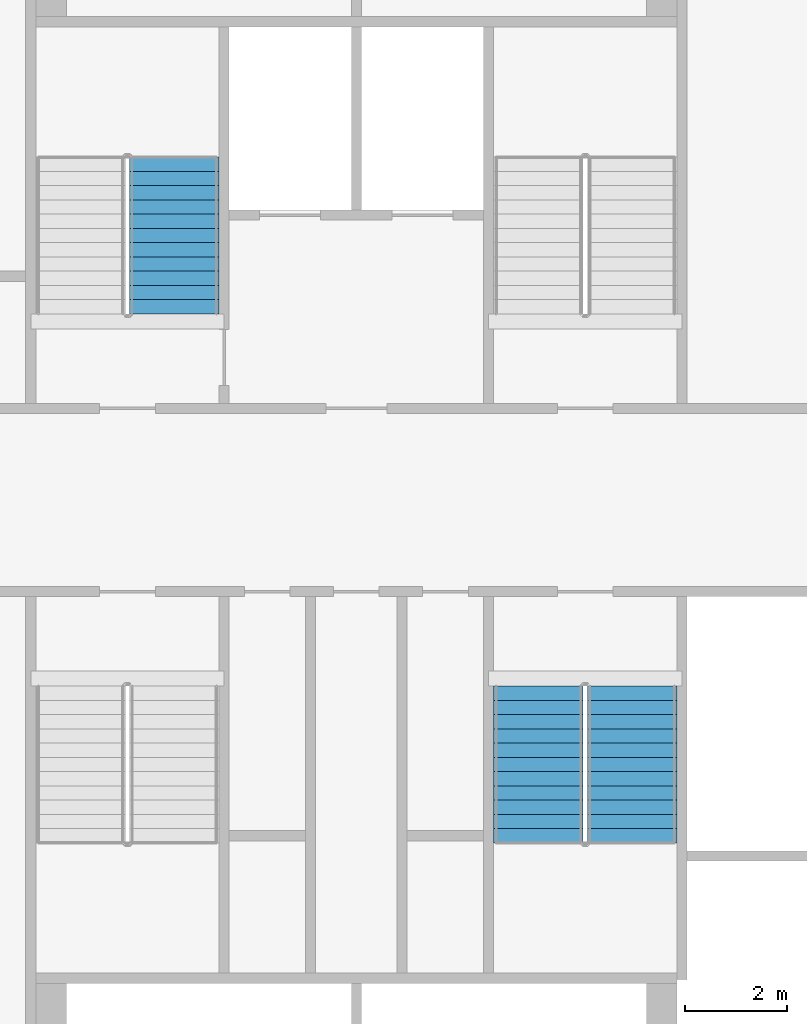
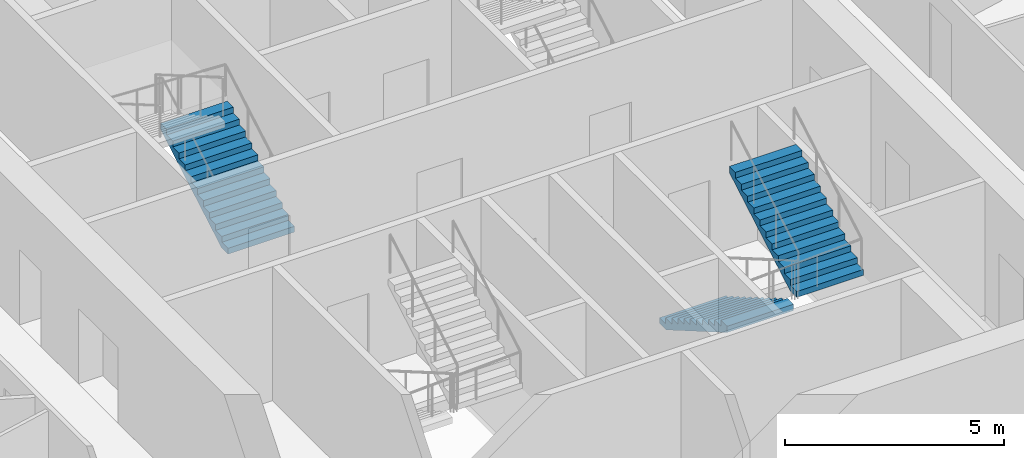
# One storey, part 8 of 14: 3 stair flights, 2 elements without a shape of their own.
"""IFC4 building model written with IfcOpenShell, lengths in metres."""

from ifc_helpers import new_model, si_unit, direction, frame, origin, place, context, subcontext, project, spatial, faceted_brep, material, type_object, element, aggregate, save


model = new_model("IFC4")

# Units and contexts
model_context = context("Model", 3, precision=1e-05, world=origin(), true_north=direction((0.0, 1.0)))
body_context = subcontext(model_context, "Body", "Model", "MODEL_VIEW")
ifc_project = project(units=[si_unit("LENGTHUNIT", "METRE"), si_unit("AREAUNIT", "SQUARE_METRE"), si_unit("VOLUMEUNIT", "CUBIC_METRE"), si_unit("PLANEANGLEUNIT", "RADIAN"), si_unit("MASSUNIT", "GRAM", prefix="KILO")], contexts=[model_context])

# Site, building, storey
site_placement = place(None, origin())
site = spatial("IfcSite", under=ifc_project, at=site_placement, CompositionType="ELEMENT")
building_placement = place(site_placement, origin())
building = spatial("IfcBuilding", under=site, at=building_placement, Name="Tarsis Ring Headquarters", CompositionType="ELEMENT")
storey_placement = place(building_placement, frame((0.0, 0.0, 182.699951171875)))
storey = spatial("IfcBuildingStorey", under=building, at=storey_placement, Name="L42", CompositionType="ELEMENT", Elevation=182.699951171875)

# Stair, stair flight
ifc_material_1 = material(Name="Core stair 1760")
stair_type = type_object("IfcStairType", Name="Core stair 1760", PredefinedType="HALF_TURN_STAIR", material=ifc_material_1)
stair_1_placement = place(storey_placement, origin())
stair_1 = element("IfcStair", 1, at=stair_1_placement, inside=storey, type_object=stair_type, Name="L42 Firefighting stair", PredefinedType="HALF_TURN_STAIR")
ifc_material_2 = material(Name="Concrete C40/50", Category="concrete")
stair_flight_type = type_object("IfcStairFlightType", Name="Core stair flight 1760", PredefinedType="STRAIGHT", material=ifc_material_2)
stair_flight_1_placement = place(storey_placement, frame((-3.580078125, 3.659912109375, 0.0), z_axis=(0.0, 0.0, 1.0), x_axis=(0.0, 1.0, 0.0)))
stair_flight_1 = element("IfcStairFlight", 2, at=stair_flight_1_placement, type_object=stair_flight_type, Name="Stair ST1 flight 1", NumberOfRisers=12, NumberOfTreads=11, PredefinedType="STRAIGHT", RiserHeight=0.1625, TreadLength=0.28, context=body_context, shape_type="Brep", body=[
    faceted_brep([(0.0, 0.8798828125, 0.0), (0.0, 0.8798828125, 0.16259765625), (0.280029296875, 0.8798828125, 0.16259765625), (0.280029296875, 0.8798828125, 0.324951171875), (0.56005859375, 0.8798828125, 0.324951171875), (0.56005859375, 0.8798828125, 0.487548828125), (0.840087890625, 0.8798828125, 0.487548828125), (0.840087890625, 0.8798828125, 0.64990234375), (1.1201171875, 0.8798828125, 0.64990234375), (1.1201171875, 0.8798828125, 0.8125), (1.39990234375, 0.8798828125, 0.8125), (1.39990234375, 0.8798828125, 0.97509765625), (1.679931640625, 0.8798828125, 0.97509765625), (1.679931640625, 0.8798828125, 1.137451171875), (1.9599609375, 0.8798828125, 1.137451171875), (1.9599609375, 0.8798828125, 1.300048828125), (2.239990234375, 0.8798828125, 1.300048828125), (2.239990234375, 0.8798828125, 1.46240234375), (2.52001953125, 0.8798828125, 1.46240234375), (2.52001953125, 0.8798828125, 1.625), (2.800048828125, 0.8798828125, 1.625), (2.800048828125, 0.8798828125, 1.78759765625), (3.080078125, 0.8798828125, 1.78759765625), (3.080078125, 0.8798828125, 1.6142578125), (0.298583984375, 0.8798828125, 0.0), (0.298583984375, -0.8798828125, 0.0), (3.080078125, -0.8798828125, 1.6142578125), (3.080078125, -0.8798828125, 1.78759765625), (2.800048828125, -0.8798828125, 1.78759765625), (2.800048828125, -0.8798828125, 1.625), (2.52001953125, -0.8798828125, 1.625), (2.52001953125, -0.8798828125, 1.46240234375), (2.239990234375, -0.8798828125, 1.46240234375), (2.239990234375, -0.8798828125, 1.300048828125), (1.9599609375, -0.8798828125, 1.300048828125), (1.9599609375, -0.8798828125, 1.137451171875), (1.679931640625, -0.8798828125, 1.137451171875), (1.679931640625, -0.8798828125, 0.97509765625), (1.39990234375, -0.8798828125, 0.97509765625), (1.39990234375, -0.8798828125, 0.8125), (1.1201171875, -0.8798828125, 0.8125), (1.1201171875, -0.8798828125, 0.64990234375), (0.840087890625, -0.8798828125, 0.64990234375), (0.840087890625, -0.8798828125, 0.487548828125), (0.56005859375, -0.8798828125, 0.487548828125), (0.56005859375, -0.8798828125, 0.324951171875), (0.280029296875, -0.8798828125, 0.324951171875), (0.280029296875, -0.8798828125, 0.16259765625), (0.0, -0.8798828125, 0.16259765625), (0.0, -0.8798828125, 0.0), (0.0, -0.43994140625, 0.16259765625), (0.0, -0.43994140625, 0.0), (0.0, 0.0, 0.16259765625), (0.0, 0.0, 0.0), (0.0, 0.43994140625, 0.16259765625), (0.0, 0.43994140625, 0.0), (0.280029296875, -0.43994140625, 0.16259765625), (0.280029296875, 0.0, 0.16259765625), (0.280029296875, 0.43994140625, 0.16259765625), (0.280029296875, -0.43994140625, 0.324951171875), (0.280029296875, 0.0, 0.324951171875), (0.280029296875, 0.43994140625, 0.324951171875), (0.56005859375, -0.43994140625, 0.324951171875), (0.56005859375, 0.0, 0.324951171875), (0.56005859375, 0.43994140625, 0.324951171875), (0.56005859375, -0.43994140625, 0.487548828125), (0.56005859375, 0.0, 0.487548828125), (0.56005859375, 0.43994140625, 0.487548828125), (0.840087890625, -0.43994140625, 0.487548828125), (0.840087890625, 0.0, 0.487548828125), (0.840087890625, 0.43994140625, 0.487548828125), (0.840087890625, -0.43994140625, 0.64990234375), (0.840087890625, 0.0, 0.64990234375), (0.840087890625, 0.43994140625, 0.64990234375), (1.1201171875, -0.43994140625, 0.64990234375), (1.1201171875, 0.0, 0.64990234375), (1.1201171875, 0.43994140625, 0.64990234375), (1.1201171875, -0.43994140625, 0.8125), (1.1201171875, 0.0, 0.8125), (1.1201171875, 0.43994140625, 0.8125), (1.39990234375, -0.43994140625, 0.8125), (1.39990234375, 0.0, 0.8125), (1.39990234375, 0.43994140625, 0.8125), (1.39990234375, -0.43994140625, 0.97509765625), (1.39990234375, 0.0, 0.97509765625), (1.39990234375, 0.43994140625, 0.97509765625), (1.679931640625, -0.43994140625, 0.97509765625), (1.679931640625, 0.0, 0.97509765625), (1.679931640625, 0.43994140625, 0.97509765625), (1.679931640625, -0.43994140625, 1.137451171875), (1.679931640625, 0.0, 1.137451171875), (1.679931640625, 0.43994140625, 1.137451171875), (1.9599609375, -0.43994140625, 1.137451171875), (1.9599609375, 0.0, 1.137451171875), (1.9599609375, 0.43994140625, 1.137451171875), (1.9599609375, -0.43994140625, 1.300048828125), (1.9599609375, 0.0, 1.300048828125), (1.9599609375, 0.43994140625, 1.300048828125), (2.239990234375, -0.43994140625, 1.300048828125), (2.239990234375, 0.0, 1.300048828125), (2.239990234375, 0.43994140625, 1.300048828125), (2.239990234375, -0.43994140625, 1.46240234375), (2.239990234375, 0.0, 1.46240234375), (2.239990234375, 0.43994140625, 1.46240234375), (2.52001953125, -0.43994140625, 1.46240234375), (2.52001953125, 0.0, 1.46240234375), (2.52001953125, 0.43994140625, 1.46240234375), (2.52001953125, -0.43994140625, 1.625), (2.52001953125, 0.0, 1.625), (2.52001953125, 0.43994140625, 1.625), (2.800048828125, -0.43994140625, 1.625), (2.800048828125, 0.0, 1.625), (2.800048828125, 0.43994140625, 1.625), (2.800048828125, -0.43994140625, 1.78759765625), (2.800048828125, 0.0, 1.78759765625), (2.800048828125, 0.43994140625, 1.78759765625), (3.080078125, -0.43994140625, 1.78759765625), (3.080078125, 0.0, 1.78759765625), (3.080078125, 0.43994140625, 1.78759765625), (3.080078125, -0.43994140625, 1.6142578125), (3.080078125, 0.0, 1.6142578125), (3.080078125, 0.43994140625, 1.6142578125), (0.298583984375, -0.43994140625, 0.0), (0.298583984375, 0.0, 0.0), (0.298583984375, 0.43994140625, 0.0)], [[[0, 1, 2, 3, 4, 5, 6, 7, 8, 9, 10, 11, 12, 13, 14, 15, 16, 17, 18, 19, 20, 21, 22, 23, 24]], [[25, 26, 27, 28, 29, 30, 31, 32, 33, 34, 35, 36, 37, 38, 39, 40, 41, 42, 43, 44, 45, 46, 47, 48, 49]], [[49, 48, 50, 51]], [[51, 50, 52, 53]], [[53, 52, 54, 55]], [[55, 54, 1, 0]], [[48, 47, 56, 50]], [[50, 56, 57, 52]], [[52, 57, 58, 54]], [[54, 58, 2, 1]], [[47, 46, 59, 56]], [[56, 59, 60, 57]], [[57, 60, 61, 58]], [[58, 61, 3, 2]], [[46, 45, 62, 59]], [[59, 62, 63, 60]], [[60, 63, 64, 61]], [[61, 64, 4, 3]], [[45, 44, 65, 62]], [[62, 65, 66, 63]], [[63, 66, 67, 64]], [[64, 67, 5, 4]], [[44, 43, 68, 65]], [[65, 68, 69, 66]], [[66, 69, 70, 67]], [[67, 70, 6, 5]], [[43, 42, 71, 68]], [[68, 71, 72, 69]], [[69, 72, 73, 70]], [[70, 73, 7, 6]], [[42, 41, 74, 71]], [[71, 74, 75, 72]], [[72, 75, 76, 73]], [[73, 76, 8, 7]], [[41, 40, 77, 74]], [[74, 77, 78, 75]], [[75, 78, 79, 76]], [[76, 79, 9, 8]], [[40, 39, 80, 77]], [[77, 80, 81, 78]], [[78, 81, 82, 79]], [[79, 82, 10, 9]], [[39, 38, 83, 80]], [[80, 83, 84, 81]], [[81, 84, 85, 82]], [[82, 85, 11, 10]], [[38, 37, 86, 83]], [[83, 86, 87, 84]], [[84, 87, 88, 85]], [[85, 88, 12, 11]], [[37, 36, 89, 86]], [[86, 89, 90, 87]], [[87, 90, 91, 88]], [[88, 91, 13, 12]], [[36, 35, 92, 89]], [[89, 92, 93, 90]], [[90, 93, 94, 91]], [[91, 94, 14, 13]], [[35, 34, 95, 92]], [[92, 95, 96, 93]], [[93, 96, 97, 94]], [[94, 97, 15, 14]], [[34, 33, 98, 95]], [[95, 98, 99, 96]], [[96, 99, 100, 97]], [[97, 100, 16, 15]], [[33, 32, 101, 98]], [[98, 101, 102, 99]], [[99, 102, 103, 100]], [[100, 103, 17, 16]], [[32, 31, 104, 101]], [[101, 104, 105, 102]], [[102, 105, 106, 103]], [[103, 106, 18, 17]], [[31, 30, 107, 104]], [[104, 107, 108, 105]], [[105, 108, 109, 106]], [[106, 109, 19, 18]], [[30, 29, 110, 107]], [[107, 110, 111, 108]], [[108, 111, 112, 109]], [[109, 112, 20, 19]], [[29, 28, 113, 110]], [[110, 113, 114, 111]], [[111, 114, 115, 112]], [[112, 115, 21, 20]], [[28, 27, 116, 113]], [[113, 116, 117, 114]], [[114, 117, 118, 115]], [[115, 118, 22, 21]], [[27, 26, 119, 116]], [[116, 119, 120, 117]], [[117, 120, 121, 118]], [[118, 121, 23, 22]], [[26, 25, 122, 119]], [[119, 122, 123, 120]], [[120, 123, 124, 121]], [[121, 124, 24, 23]], [[25, 49, 51, 122]], [[122, 51, 53, 123]], [[123, 53, 55, 124]], [[124, 55, 0, 24]]]),
])
aggregate(stair_1, [stair_flight_1])

# Stair, stair flights
stair_2_placement = place(storey_placement, origin())
stair_2 = element("IfcStair", 3, at=stair_2_placement, inside=storey, type_object=stair_type, Name="L42 Exit stair D", PredefinedType="HALF_TURN_STAIR")
stair_flight_2_placement = place(storey_placement, frame((3.580078125, -3.659912109375, 0.0), z_axis=(0.0, 0.0, 1.0), x_axis=(0.0, -1.0, 0.0)))
stair_flight_2 = element("IfcStairFlight", 4, at=stair_flight_2_placement, type_object=stair_flight_type, Name="Stair ST4 flight 1", NumberOfRisers=12, NumberOfTreads=11, PredefinedType="STRAIGHT", RiserHeight=0.1625, TreadLength=0.28, context=body_context, shape_type="Brep", body=[
    faceted_brep([(0.0, 0.8798828125, 0.0), (0.0, 0.8798828125, 0.16259765625), (0.280029296875, 0.8798828125, 0.16259765625), (0.280029296875, 0.8798828125, 0.324951171875), (0.56005859375, 0.8798828125, 0.324951171875), (0.56005859375, 0.8798828125, 0.487548828125), (0.840087890625, 0.8798828125, 0.487548828125), (0.840087890625, 0.8798828125, 0.64990234375), (1.1201171875, 0.8798828125, 0.64990234375), (1.1201171875, 0.8798828125, 0.8125), (1.39990234375, 0.8798828125, 0.8125), (1.39990234375, 0.8798828125, 0.97509765625), (1.679931640625, 0.8798828125, 0.97509765625), (1.679931640625, 0.8798828125, 1.137451171875), (1.9599609375, 0.8798828125, 1.137451171875), (1.9599609375, 0.8798828125, 1.300048828125), (2.239990234375, 0.8798828125, 1.300048828125), (2.239990234375, 0.8798828125, 1.46240234375), (2.52001953125, 0.8798828125, 1.46240234375), (2.52001953125, 0.8798828125, 1.625), (2.800048828125, 0.8798828125, 1.625), (2.800048828125, 0.8798828125, 1.78759765625), (3.080078125, 0.8798828125, 1.78759765625), (3.080078125, 0.8798828125, 1.6142578125), (0.298583984375, 0.8798828125, 0.0), (0.298583984375, -0.8798828125, 0.0), (3.080078125, -0.8798828125, 1.6142578125), (3.080078125, -0.8798828125, 1.78759765625), (2.800048828125, -0.8798828125, 1.78759765625), (2.800048828125, -0.8798828125, 1.625), (2.52001953125, -0.8798828125, 1.625), (2.52001953125, -0.8798828125, 1.46240234375), (2.239990234375, -0.8798828125, 1.46240234375), (2.239990234375, -0.8798828125, 1.300048828125), (1.9599609375, -0.8798828125, 1.300048828125), (1.9599609375, -0.8798828125, 1.137451171875), (1.679931640625, -0.8798828125, 1.137451171875), (1.679931640625, -0.8798828125, 0.97509765625), (1.39990234375, -0.8798828125, 0.97509765625), (1.39990234375, -0.8798828125, 0.8125), (1.1201171875, -0.8798828125, 0.8125), (1.1201171875, -0.8798828125, 0.64990234375), (0.840087890625, -0.8798828125, 0.64990234375), (0.840087890625, -0.8798828125, 0.487548828125), (0.56005859375, -0.8798828125, 0.487548828125), (0.56005859375, -0.8798828125, 0.324951171875), (0.280029296875, -0.8798828125, 0.324951171875), (0.280029296875, -0.8798828125, 0.16259765625), (0.0, -0.8798828125, 0.16259765625), (0.0, -0.8798828125, 0.0), (0.0, -0.43994140625, 0.16259765625), (0.0, -0.43994140625, 0.0), (0.0, 0.0, 0.16259765625), (0.0, 0.0, 0.0), (0.0, 0.43994140625, 0.16259765625), (0.0, 0.43994140625, 0.0), (0.280029296875, -0.43994140625, 0.16259765625), (0.280029296875, 0.0, 0.16259765625), (0.280029296875, 0.43994140625, 0.16259765625), (0.280029296875, -0.43994140625, 0.324951171875), (0.280029296875, 0.0, 0.324951171875), (0.280029296875, 0.43994140625, 0.324951171875), (0.56005859375, -0.43994140625, 0.324951171875), (0.56005859375, 0.0, 0.324951171875), (0.56005859375, 0.43994140625, 0.324951171875), (0.56005859375, -0.43994140625, 0.487548828125), (0.56005859375, 0.0, 0.487548828125), (0.56005859375, 0.43994140625, 0.487548828125), (0.840087890625, -0.43994140625, 0.487548828125), (0.840087890625, 0.0, 0.487548828125), (0.840087890625, 0.43994140625, 0.487548828125), (0.840087890625, -0.43994140625, 0.64990234375), (0.840087890625, 0.0, 0.64990234375), (0.840087890625, 0.43994140625, 0.64990234375), (1.1201171875, -0.43994140625, 0.64990234375), (1.1201171875, 0.0, 0.64990234375), (1.1201171875, 0.43994140625, 0.64990234375), (1.1201171875, -0.43994140625, 0.8125), (1.1201171875, 0.0, 0.8125), (1.1201171875, 0.43994140625, 0.8125), (1.39990234375, -0.43994140625, 0.8125), (1.39990234375, 0.0, 0.8125), (1.39990234375, 0.43994140625, 0.8125), (1.39990234375, -0.43994140625, 0.97509765625), (1.39990234375, 0.0, 0.97509765625), (1.39990234375, 0.43994140625, 0.97509765625), (1.679931640625, -0.43994140625, 0.97509765625), (1.679931640625, 0.0, 0.97509765625), (1.679931640625, 0.43994140625, 0.97509765625), (1.679931640625, -0.43994140625, 1.137451171875), (1.679931640625, 0.0, 1.137451171875), (1.679931640625, 0.43994140625, 1.137451171875), (1.9599609375, -0.43994140625, 1.137451171875), (1.9599609375, 0.0, 1.137451171875), (1.9599609375, 0.43994140625, 1.137451171875), (1.9599609375, -0.43994140625, 1.300048828125), (1.9599609375, 0.0, 1.300048828125), (1.9599609375, 0.43994140625, 1.300048828125), (2.239990234375, -0.43994140625, 1.300048828125), (2.239990234375, 0.0, 1.300048828125), (2.239990234375, 0.43994140625, 1.300048828125), (2.239990234375, -0.43994140625, 1.46240234375), (2.239990234375, 0.0, 1.46240234375), (2.239990234375, 0.43994140625, 1.46240234375), (2.52001953125, -0.43994140625, 1.46240234375), (2.52001953125, 0.0, 1.46240234375), (2.52001953125, 0.43994140625, 1.46240234375), (2.52001953125, -0.43994140625, 1.625), (2.52001953125, 0.0, 1.625), (2.52001953125, 0.43994140625, 1.625), (2.800048828125, -0.43994140625, 1.625), (2.800048828125, 0.0, 1.625), (2.800048828125, 0.43994140625, 1.625), (2.800048828125, -0.43994140625, 1.78759765625), (2.800048828125, 0.0, 1.78759765625), (2.800048828125, 0.43994140625, 1.78759765625), (3.080078125, -0.43994140625, 1.78759765625), (3.080078125, 0.0, 1.78759765625), (3.080078125, 0.43994140625, 1.78759765625), (3.080078125, -0.43994140625, 1.6142578125), (3.080078125, 0.0, 1.6142578125), (3.080078125, 0.43994140625, 1.6142578125), (0.298583984375, -0.43994140625, 0.0), (0.298583984375, 0.0, 0.0), (0.298583984375, 0.43994140625, 0.0)], [[[0, 1, 2, 3, 4, 5, 6, 7, 8, 9, 10, 11, 12, 13, 14, 15, 16, 17, 18, 19, 20, 21, 22, 23, 24]], [[25, 26, 27, 28, 29, 30, 31, 32, 33, 34, 35, 36, 37, 38, 39, 40, 41, 42, 43, 44, 45, 46, 47, 48, 49]], [[49, 48, 50, 51]], [[51, 50, 52, 53]], [[53, 52, 54, 55]], [[55, 54, 1, 0]], [[48, 47, 56, 50]], [[50, 56, 57, 52]], [[52, 57, 58, 54]], [[54, 58, 2, 1]], [[47, 46, 59, 56]], [[56, 59, 60, 57]], [[57, 60, 61, 58]], [[58, 61, 3, 2]], [[46, 45, 62, 59]], [[59, 62, 63, 60]], [[60, 63, 64, 61]], [[61, 64, 4, 3]], [[45, 44, 65, 62]], [[62, 65, 66, 63]], [[63, 66, 67, 64]], [[64, 67, 5, 4]], [[44, 43, 68, 65]], [[65, 68, 69, 66]], [[66, 69, 70, 67]], [[67, 70, 6, 5]], [[43, 42, 71, 68]], [[68, 71, 72, 69]], [[69, 72, 73, 70]], [[70, 73, 7, 6]], [[42, 41, 74, 71]], [[71, 74, 75, 72]], [[72, 75, 76, 73]], [[73, 76, 8, 7]], [[41, 40, 77, 74]], [[74, 77, 78, 75]], [[75, 78, 79, 76]], [[76, 79, 9, 8]], [[40, 39, 80, 77]], [[77, 80, 81, 78]], [[78, 81, 82, 79]], [[79, 82, 10, 9]], [[39, 38, 83, 80]], [[80, 83, 84, 81]], [[81, 84, 85, 82]], [[82, 85, 11, 10]], [[38, 37, 86, 83]], [[83, 86, 87, 84]], [[84, 87, 88, 85]], [[85, 88, 12, 11]], [[37, 36, 89, 86]], [[86, 89, 90, 87]], [[87, 90, 91, 88]], [[88, 91, 13, 12]], [[36, 35, 92, 89]], [[89, 92, 93, 90]], [[90, 93, 94, 91]], [[91, 94, 14, 13]], [[35, 34, 95, 92]], [[92, 95, 96, 93]], [[93, 96, 97, 94]], [[94, 97, 15, 14]], [[34, 33, 98, 95]], [[95, 98, 99, 96]], [[96, 99, 100, 97]], [[97, 100, 16, 15]], [[33, 32, 101, 98]], [[98, 101, 102, 99]], [[99, 102, 103, 100]], [[100, 103, 17, 16]], [[32, 31, 104, 101]], [[101, 104, 105, 102]], [[102, 105, 106, 103]], [[103, 106, 18, 17]], [[31, 30, 107, 104]], [[104, 107, 108, 105]], [[105, 108, 109, 106]], [[106, 109, 19, 18]], [[30, 29, 110, 107]], [[107, 110, 111, 108]], [[108, 111, 112, 109]], [[109, 112, 20, 19]], [[29, 28, 113, 110]], [[110, 113, 114, 111]], [[111, 114, 115, 112]], [[112, 115, 21, 20]], [[28, 27, 116, 113]], [[113, 116, 117, 114]], [[114, 117, 118, 115]], [[115, 118, 22, 21]], [[27, 26, 119, 116]], [[116, 119, 120, 117]], [[117, 120, 121, 118]], [[118, 121, 23, 22]], [[26, 25, 122, 119]], [[119, 122, 123, 120]], [[120, 123, 124, 121]], [[121, 124, 24, 23]], [[25, 49, 51, 122]], [[122, 51, 53, 123]], [[123, 53, 55, 124]], [[124, 55, 0, 24]]]),
])
stair_flight_3_placement = place(storey_placement, frame((5.419921875, -6.739990234375, 1.949951171875), z_axis=(0.0, 0.0, 1.0), x_axis=(0.0, 1.0, 0.0)))
stair_flight_3 = element("IfcStairFlight", 5, at=stair_flight_3_placement, type_object=stair_flight_type, Name="Stair ST4 flight 2", NumberOfRisers=12, NumberOfTreads=11, PredefinedType="STRAIGHT", RiserHeight=0.1625, TreadLength=0.28, context=body_context, shape_type="Brep", body=[
    faceted_brep([(0.0, 0.8798828125, 0.0), (0.0, 0.8798828125, 0.16259765625), (0.280029296875, 0.8798828125, 0.16259765625), (0.280029296875, 0.8798828125, 0.324951171875), (0.56005859375, 0.8798828125, 0.324951171875), (0.56005859375, 0.8798828125, 0.487548828125), (0.840087890625, 0.8798828125, 0.487548828125), (0.840087890625, 0.8798828125, 0.64990234375), (1.1201171875, 0.8798828125, 0.64990234375), (1.1201171875, 0.8798828125, 0.8125), (1.39990234375, 0.8798828125, 0.8125), (1.39990234375, 0.8798828125, 0.97509765625), (1.679931640625, 0.8798828125, 0.97509765625), (1.679931640625, 0.8798828125, 1.137451171875), (1.9599609375, 0.8798828125, 1.137451171875), (1.9599609375, 0.8798828125, 1.300048828125), (2.239990234375, 0.8798828125, 1.300048828125), (2.239990234375, 0.8798828125, 1.46240234375), (2.52001953125, 0.8798828125, 1.46240234375), (2.52001953125, 0.8798828125, 1.625), (2.800048828125, 0.8798828125, 1.625), (2.800048828125, 0.8798828125, 1.78759765625), (3.080078125, 0.8798828125, 1.78759765625), (3.080078125, 0.8798828125, 1.6142578125), (0.298583984375, 0.8798828125, 0.0), (0.298583984375, -0.8798828125, 0.0), (3.080078125, -0.8798828125, 1.6142578125), (3.080078125, -0.8798828125, 1.78759765625), (2.800048828125, -0.8798828125, 1.78759765625), (2.800048828125, -0.8798828125, 1.625), (2.52001953125, -0.8798828125, 1.625), (2.52001953125, -0.8798828125, 1.46240234375), (2.239990234375, -0.8798828125, 1.46240234375), (2.239990234375, -0.8798828125, 1.300048828125), (1.9599609375, -0.8798828125, 1.300048828125), (1.9599609375, -0.8798828125, 1.137451171875), (1.679931640625, -0.8798828125, 1.137451171875), (1.679931640625, -0.8798828125, 0.97509765625), (1.39990234375, -0.8798828125, 0.97509765625), (1.39990234375, -0.8798828125, 0.8125), (1.1201171875, -0.8798828125, 0.8125), (1.1201171875, -0.8798828125, 0.64990234375), (0.840087890625, -0.8798828125, 0.64990234375), (0.840087890625, -0.8798828125, 0.487548828125), (0.56005859375, -0.8798828125, 0.487548828125), (0.56005859375, -0.8798828125, 0.324951171875), (0.280029296875, -0.8798828125, 0.324951171875), (0.280029296875, -0.8798828125, 0.16259765625), (0.0, -0.8798828125, 0.16259765625), (0.0, -0.8798828125, 0.0), (0.0, -0.43994140625, 0.16259765625), (0.0, -0.43994140625, 0.0), (0.0, 0.0, 0.16259765625), (0.0, 0.0, 0.0), (0.0, 0.43994140625, 0.16259765625), (0.0, 0.43994140625, 0.0), (0.280029296875, -0.43994140625, 0.16259765625), (0.280029296875, 0.0, 0.16259765625), (0.280029296875, 0.43994140625, 0.16259765625), (0.280029296875, -0.43994140625, 0.324951171875), (0.280029296875, 0.0, 0.324951171875), (0.280029296875, 0.43994140625, 0.324951171875), (0.56005859375, -0.43994140625, 0.324951171875), (0.56005859375, 0.0, 0.324951171875), (0.56005859375, 0.43994140625, 0.324951171875), (0.56005859375, -0.43994140625, 0.487548828125), (0.56005859375, 0.0, 0.487548828125), (0.56005859375, 0.43994140625, 0.487548828125), (0.840087890625, -0.43994140625, 0.487548828125), (0.840087890625, 0.0, 0.487548828125), (0.840087890625, 0.43994140625, 0.487548828125), (0.840087890625, -0.43994140625, 0.64990234375), (0.840087890625, 0.0, 0.64990234375), (0.840087890625, 0.43994140625, 0.64990234375), (1.1201171875, -0.43994140625, 0.64990234375), (1.1201171875, 0.0, 0.64990234375), (1.1201171875, 0.43994140625, 0.64990234375), (1.1201171875, -0.43994140625, 0.8125), (1.1201171875, 0.0, 0.8125), (1.1201171875, 0.43994140625, 0.8125), (1.39990234375, -0.43994140625, 0.8125), (1.39990234375, 0.0, 0.8125), (1.39990234375, 0.43994140625, 0.8125), (1.39990234375, -0.43994140625, 0.97509765625), (1.39990234375, 0.0, 0.97509765625), (1.39990234375, 0.43994140625, 0.97509765625), (1.679931640625, -0.43994140625, 0.97509765625), (1.679931640625, 0.0, 0.97509765625), (1.679931640625, 0.43994140625, 0.97509765625), (1.679931640625, -0.43994140625, 1.137451171875), (1.679931640625, 0.0, 1.137451171875), (1.679931640625, 0.43994140625, 1.137451171875), (1.9599609375, -0.43994140625, 1.137451171875), (1.9599609375, 0.0, 1.137451171875), (1.9599609375, 0.43994140625, 1.137451171875), (1.9599609375, -0.43994140625, 1.300048828125), (1.9599609375, 0.0, 1.300048828125), (1.9599609375, 0.43994140625, 1.300048828125), (2.239990234375, -0.43994140625, 1.300048828125), (2.239990234375, 0.0, 1.300048828125), (2.239990234375, 0.43994140625, 1.300048828125), (2.239990234375, -0.43994140625, 1.46240234375), (2.239990234375, 0.0, 1.46240234375), (2.239990234375, 0.43994140625, 1.46240234375), (2.52001953125, -0.43994140625, 1.46240234375), (2.52001953125, 0.0, 1.46240234375), (2.52001953125, 0.43994140625, 1.46240234375), (2.52001953125, -0.43994140625, 1.625), (2.52001953125, 0.0, 1.625), (2.52001953125, 0.43994140625, 1.625), (2.800048828125, -0.43994140625, 1.625), (2.800048828125, 0.0, 1.625), (2.800048828125, 0.43994140625, 1.625), (2.800048828125, -0.43994140625, 1.78759765625), (2.800048828125, 0.0, 1.78759765625), (2.800048828125, 0.43994140625, 1.78759765625), (3.080078125, -0.43994140625, 1.78759765625), (3.080078125, 0.0, 1.78759765625), (3.080078125, 0.43994140625, 1.78759765625), (3.080078125, -0.43994140625, 1.6142578125), (3.080078125, 0.0, 1.6142578125), (3.080078125, 0.43994140625, 1.6142578125), (0.298583984375, -0.43994140625, 0.0), (0.298583984375, 0.0, 0.0), (0.298583984375, 0.43994140625, 0.0)], [[[0, 1, 2, 3, 4, 5, 6, 7, 8, 9, 10, 11, 12, 13, 14, 15, 16, 17, 18, 19, 20, 21, 22, 23, 24]], [[25, 26, 27, 28, 29, 30, 31, 32, 33, 34, 35, 36, 37, 38, 39, 40, 41, 42, 43, 44, 45, 46, 47, 48, 49]], [[49, 48, 50, 51]], [[51, 50, 52, 53]], [[53, 52, 54, 55]], [[55, 54, 1, 0]], [[48, 47, 56, 50]], [[50, 56, 57, 52]], [[52, 57, 58, 54]], [[54, 58, 2, 1]], [[47, 46, 59, 56]], [[56, 59, 60, 57]], [[57, 60, 61, 58]], [[58, 61, 3, 2]], [[46, 45, 62, 59]], [[59, 62, 63, 60]], [[60, 63, 64, 61]], [[61, 64, 4, 3]], [[45, 44, 65, 62]], [[62, 65, 66, 63]], [[63, 66, 67, 64]], [[64, 67, 5, 4]], [[44, 43, 68, 65]], [[65, 68, 69, 66]], [[66, 69, 70, 67]], [[67, 70, 6, 5]], [[43, 42, 71, 68]], [[68, 71, 72, 69]], [[69, 72, 73, 70]], [[70, 73, 7, 6]], [[42, 41, 74, 71]], [[71, 74, 75, 72]], [[72, 75, 76, 73]], [[73, 76, 8, 7]], [[41, 40, 77, 74]], [[74, 77, 78, 75]], [[75, 78, 79, 76]], [[76, 79, 9, 8]], [[40, 39, 80, 77]], [[77, 80, 81, 78]], [[78, 81, 82, 79]], [[79, 82, 10, 9]], [[39, 38, 83, 80]], [[80, 83, 84, 81]], [[81, 84, 85, 82]], [[82, 85, 11, 10]], [[38, 37, 86, 83]], [[83, 86, 87, 84]], [[84, 87, 88, 85]], [[85, 88, 12, 11]], [[37, 36, 89, 86]], [[86, 89, 90, 87]], [[87, 90, 91, 88]], [[88, 91, 13, 12]], [[36, 35, 92, 89]], [[89, 92, 93, 90]], [[90, 93, 94, 91]], [[91, 94, 14, 13]], [[35, 34, 95, 92]], [[92, 95, 96, 93]], [[93, 96, 97, 94]], [[94, 97, 15, 14]], [[34, 33, 98, 95]], [[95, 98, 99, 96]], [[96, 99, 100, 97]], [[97, 100, 16, 15]], [[33, 32, 101, 98]], [[98, 101, 102, 99]], [[99, 102, 103, 100]], [[100, 103, 17, 16]], [[32, 31, 104, 101]], [[101, 104, 105, 102]], [[102, 105, 106, 103]], [[103, 106, 18, 17]], [[31, 30, 107, 104]], [[104, 107, 108, 105]], [[105, 108, 109, 106]], [[106, 109, 19, 18]], [[30, 29, 110, 107]], [[107, 110, 111, 108]], [[108, 111, 112, 109]], [[109, 112, 20, 19]], [[29, 28, 113, 110]], [[110, 113, 114, 111]], [[111, 114, 115, 112]], [[112, 115, 21, 20]], [[28, 27, 116, 113]], [[113, 116, 117, 114]], [[114, 117, 118, 115]], [[115, 118, 22, 21]], [[27, 26, 119, 116]], [[116, 119, 120, 117]], [[117, 120, 121, 118]], [[118, 121, 23, 22]], [[26, 25, 122, 119]], [[119, 122, 123, 120]], [[120, 123, 124, 121]], [[121, 124, 24, 23]], [[25, 49, 51, 122]], [[122, 51, 53, 123]], [[123, 53, 55, 124]], [[124, 55, 0, 24]]]),
])
aggregate(stair_2, [stair_flight_2, stair_flight_3])

save(model, "model.ifc")
